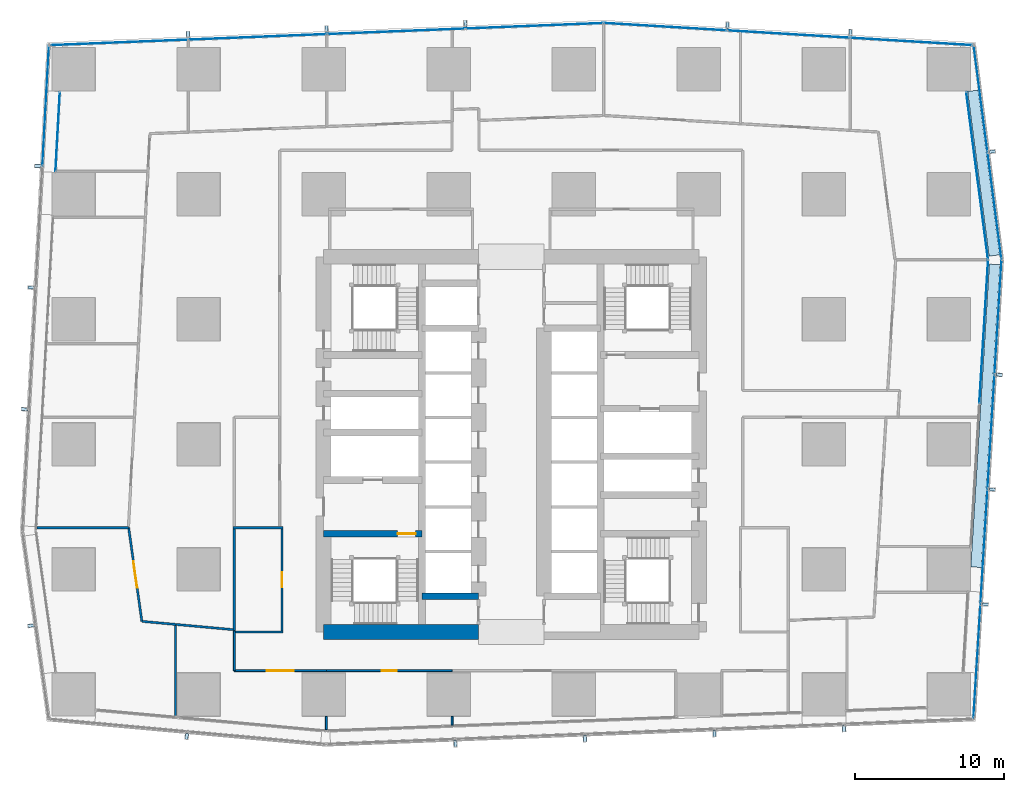
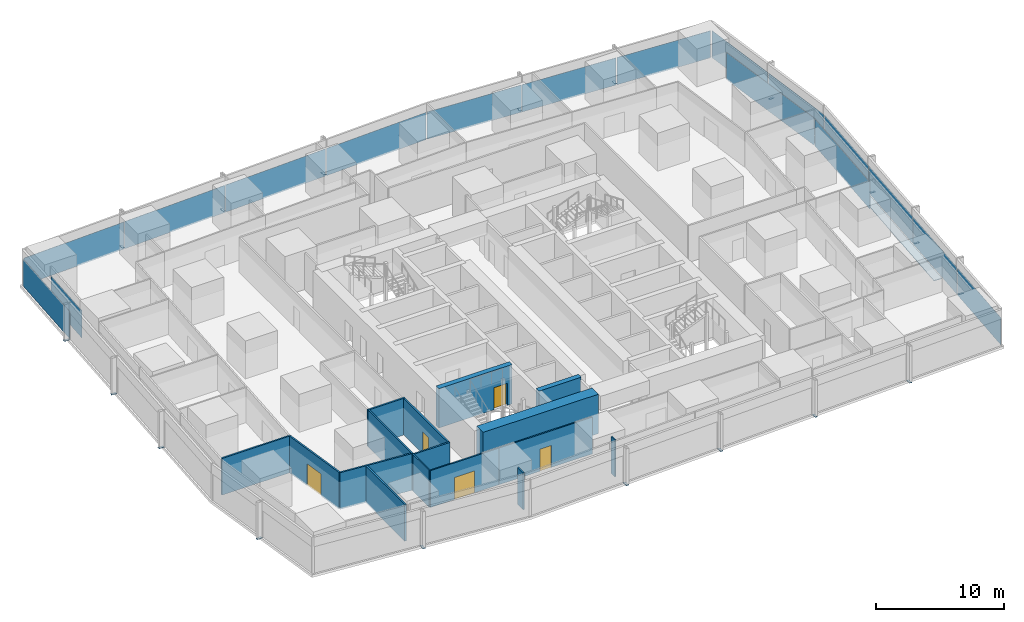
# One storey, part 28 of 40: 37 plates, 17 walls, 5 doors, 5 openings, 8 elements without a shape of their own.
"""IFC4 building model written with IfcOpenShell, lengths in metres."""

from ifc_helpers import new_model, si_unit, direction, frame, frame_2d, origin, origin_2d, place, context, subcontext, project, spatial, rectangle, extrude, material, layer, layer_set, type_object, element, fill, aggregate, save


model = new_model("IFC4")

# Units and contexts
model_context = context("Model", 3, precision=1e-05, world=origin(), true_north=direction((0.0, 1.0)))
body_context = subcontext(model_context, "Body", "Model", "MODEL_VIEW")
ifc_project = project(units=[si_unit("LENGTHUNIT", "METRE"), si_unit("AREAUNIT", "SQUARE_METRE"), si_unit("VOLUMEUNIT", "CUBIC_METRE"), si_unit("PLANEANGLEUNIT", "RADIAN"), si_unit("MASSUNIT", "GRAM", prefix="KILO")], contexts=[model_context])

# Site, building, storey
site_placement = place(None, origin())
site = spatial("IfcSite", under=ifc_project, at=site_placement, CompositionType="ELEMENT")
building_placement = place(site_placement, origin())
building = spatial("IfcBuilding", under=site, at=building_placement, Name="Rekha Terrace Tower", CompositionType="ELEMENT")
storey_placement = place(building_placement, frame((0.0, 0.0, 95.300048828125)))
storey = spatial("IfcBuildingStorey", under=building, at=storey_placement, Name="L23", CompositionType="ELEMENT", Elevation=95.300048828125)

# Plates
ifc_material_1 = material(Name="Steel S355 fixing plate bolted to the slab", Category="steel")
ifc_layer_1 = layer(ifc_material_1, 0.02001953125)
ifc_layer_set_1 = layer_set([ifc_layer_1], Name="Steel S355 fixing plate bolted to the slab")
plate_type_1 = type_object("IfcPlateType", Name="BL2 blade bracket plate 200 x 20", PredefinedType="USERDEFINED", material=ifc_layer_set_1)
for number, where, z_axis, x_axis, name in (
    (1, (16.00341796875, 13.9853515625, 0.0), (0.0, 0.0, 1.0), (-0.090439644273, -0.995901938317, 0.0), "Blade bracket"),
    (2, (34.04150390625, 13.479248046875, 0.0), (0.0, 0.0, 1.0), (0.038890088543, -0.999243494356, 0.0), "Blade bracket"),
    (3, (42.74658203125, 13.818115234375, 0.0), (0.0, 0.0, 1.0), (0.038890088543, -0.999243494356, 0.0), "Blade bracket"),
    (4, (51.45166015625, 14.156982421875, 0.0), (0.0, 0.0, 1.0), (0.038890088543, -0.999243494356, 0.0), "Blade bracket"),
    (5, (60.156494140625, 14.49560546875, 0.0), (0.0, 0.0, 1.0), (0.038890088543, -0.999243494356, 0.0), "Blade bracket"),
    (6, (69.64111328125, 22.8466796875, 0.0), (0.0, 0.0, 1.0), (0.998127973008, -0.061160031881, 0.0), "Blade bracket"),
    (7, (70.11376953125, 30.558837890625, 0.0), (0.0, 0.0, 1.0), (0.998127973008, -0.061160031881, 0.0), "Blade bracket"),
    (8, (70.586181640625, 38.27099609375, 0.0), (0.0, 0.0, 1.0), (0.998127973008, -0.061160031881, 0.0), "Blade bracket"),
    (9, (70.1162109375, 53.2666015625, 0.0), (0.0, 0.0, 1.0), (0.991629073702, 0.129119247945, 0.0), "Blade bracket"),
    (10, (60.5830078125, 61.26611328125, 0.0), (0.0, 0.0, 1.0), (0.059987582268, 0.998199123409, 0.0), "Blade bracket"),
    (11, (52.3212890625, 61.7626953125, 0.0), (0.0, 0.0, 1.0), (0.059987582268, 0.998199123409, 0.0), "Blade bracket"),
    (12, (34.71142578125, 61.886474609375, 0.0), (0.0, 0.0, 1.0), (-0.040032388711, 0.999198382632, 0.0), "Blade bracket"),
    (13, (25.3994140625, 61.51318359375, 0.0), (0.0, 0.0, 1.0), (-0.040032388711, 0.999198382632, 0.0), "Blade bracket"),
    (14, (16.08740234375, 61.14013671875, 0.0), (0.0, 0.0, 1.0), (-0.040032388711, 0.999198382632, 0.0), "Blade bracket"),
    (15, (5.984619140625, 52.295654296875, 0.0), (0.0, 0.0, 1.0), (-0.998500488747, 0.054742798353, 0.0), "Blade bracket"),
    (16, (5.53662109375, 44.1279296875, 0.0), (0.0, 0.0, 1.0), (-0.998500488747, 0.054742798353, 0.0), "Blade bracket"),
    (17, (5.0888671875, 35.960205078125, 0.0), (0.0, 0.0, 1.0), (-0.998500488747, 0.054742798353, 0.0), "Blade bracket"),
    (18, (5.53369140625, 21.416748046875, 0.0), (0.0, 0.0, 1.0), (-0.990208467003, -0.139596532461, 0.0), "Blade bracket"),
):
    element("IfcPlate", number, at=place(storey_placement, frame(where, z_axis=z_axis, x_axis=x_axis)), inside=storey, type_object=plate_type_1, Name=name, ObjectType="BLADE BRACKET", PredefinedType="USERDEFINED", context=body_context, shape_type="SweptSolid", body=[
        extrude(rectangle(XDim=0.429931640625, YDim=0.199951171875, at=origin_2d()), origin(), (0.0, 0.0, 1.0), 0.02001953125),
    ])

# Curtain wall, plate
ifc_material_2 = material(Name="Aluminium framing", Category="aluminium")
curtain_wall_type_1 = type_object("IfcCurtainWallType", Name="CW1 double skin inner glazing", PredefinedType="USERDEFINED", material=ifc_material_2)
curtain_wall_1_placement = place(storey_placement, origin())
curtain_wall_1 = element("IfcCurtainWall", 19, at=curtain_wall_1_placement, inside=storey, type_object=curtain_wall_type_1, Name="CW1 double skin inner glazing", ObjectType="DOUBLE SKIN INNER GLAZING", PredefinedType="USERDEFINED")
ifc_material_3 = material(Name="Double-glazed low-e unit 32", Category="glass")
ifc_layer_2 = layer(ifc_material_3, 0.031982421875)
ifc_layer_set_2 = layer_set([ifc_layer_2], Name="Double-glazed low-e unit 32")
plate_type_2 = type_object("IfcPlateType", Name="CW1 jumbo vision panel, double-glazed low-e unit 32", PredefinedType="CURTAIN_PANEL", material=ifc_layer_set_2)
plate_1_placement = place(storey_placement, frame((69.541015625, 41.162353515625, 0.0), z_axis=(0.0, 0.0, 1.0), x_axis=(0.061159803113, 0.998127987025, 0.0)))
plate_1 = element("IfcPlate", 20, at=plate_1_placement, type_object=plate_type_2, Name="CW1 panel 2.1", PredefinedType="CURTAIN_PANEL", context=body_context, shape_type="SweptSolid", body=[
    extrude(rectangle(XDim=9.636474609375, YDim=0.031982421875, at=origin_2d()), origin(), (0.0, 0.0, 1.0), 2.60009765625),
])
aggregate(curtain_wall_1, [plate_1])

curtain_wall_2_placement = place(storey_placement, origin())
curtain_wall_2 = element("IfcCurtainWall", 21, at=curtain_wall_2_placement, inside=storey, type_object=curtain_wall_type_1, Name="CW1 double skin inner glazing", ObjectType="DOUBLE SKIN INNER GLAZING", PredefinedType="USERDEFINED")
plate_2_placement = place(storey_placement, frame((69.09716796875, 51.644775390625, 0.0), z_axis=(0.0, 0.0, 1.0), x_axis=(-0.129118383658, 0.991629186239, 0.0)))
plate_2 = element("IfcPlate", 22, at=plate_2_placement, type_object=plate_type_2, Name="CW1 panel 1.1", PredefinedType="CURTAIN_PANEL", context=body_context, shape_type="SweptSolid", body=[
    extrude(rectangle(XDim=11.31201171875, YDim=0.031982421875, at=origin_2d()), origin(), (0.0, 0.0, 1.0), 2.60009765625),
])
aggregate(curtain_wall_2, [plate_2])

curtain_wall_3_placement = place(storey_placement, origin())
curtain_wall_3 = element("IfcCurtainWall", 23, at=curtain_wall_3_placement, inside=storey, type_object=curtain_wall_type_1, Name="CW1 double skin inner glazing", ObjectType="DOUBLE SKIN INNER GLAZING", PredefinedType="USERDEFINED")
plate_3_placement = place(storey_placement, frame((7.332763671875, 54.60009765625, 0.0), z_axis=(0.0, 0.0, 1.0), x_axis=(-0.054742352742, -0.998500513178, 0.0)))
plate_3 = element("IfcPlate", 24, at=plate_3_placement, type_object=plate_type_2, Name="CW1 panel 1.1", PredefinedType="CURTAIN_PANEL", context=body_context, shape_type="SweptSolid", body=[
    extrude(rectangle(XDim=5.327880859375, YDim=0.031982421875, at=origin_2d()), origin(), (0.0, 0.0, 1.0), 2.60009765625),
])
aggregate(curtain_wall_3, [plate_3])

# Curtain wall, plates
curtain_wall_type_2 = type_object("IfcCurtainWallType", Name="CW2 double skin outer glazing", PredefinedType="USERDEFINED", material=ifc_material_2)
curtain_wall_4_placement = place(storey_placement, origin())
curtain_wall_4 = element("IfcCurtainWall", 25, at=curtain_wall_4_placement, inside=storey, type_object=curtain_wall_type_2, Name="CW2 double skin outer glazing", ObjectType="DOUBLE SKIN OUTER GLAZING", PredefinedType="USERDEFINED")
ifc_material_4 = material(Name="Toughened single glazing 12", Category="glass")
ifc_layer_3 = layer(ifc_material_4, 0.011962890625)
ifc_layer_set_3 = layer_set([ifc_layer_3], Name="Toughened single glazing 12")
plate_type_3 = type_object("IfcPlateType", Name="CW2 jumbo vision panel, toughened single glazing 12", PredefinedType="CURTAIN_PANEL", material=ifc_layer_set_3)
plate_4_placement = place(storey_placement, frame((69.086669921875, 19.0302734375, 0.0), z_axis=(0.0, 0.0, 1.0), x_axis=(0.061159803131, 0.998127987024, 0.0)))
plate_4 = element("IfcPlate", 26, at=plate_4_placement, type_object=plate_type_3, Name="CW2 panel 1.1", PredefinedType="CURTAIN_PANEL", context=body_context, shape_type="SweptSolid", body=[
    extrude(rectangle(XDim=7.6064453125, YDim=0.011962890625, at=origin_2d()), origin(), (0.0, 0.0, 1.0), 2.60009765625),
])
plate_5_placement = place(storey_placement, frame((69.557861328125, 26.722412109375, 0.0), z_axis=(0.0, 0.0, 1.0), x_axis=(0.061159803131, 0.998127987024, 0.0)))
plate_5 = element("IfcPlate", 27, at=plate_5_placement, type_object=plate_type_3, Name="CW2 panel 2.1", PredefinedType="CURTAIN_PANEL", context=body_context, shape_type="SweptSolid", body=[
    extrude(rectangle(XDim=7.646484375, YDim=0.011962890625, at=origin_2d()), origin(), (0.0, 0.0, 1.0), 2.60009765625),
])
plate_6_placement = place(storey_placement, frame((70.030517578125, 34.434326171875, 0.0), z_axis=(0.0, 0.0, 1.0), x_axis=(0.061159803131, 0.998127987024, 0.0)))
plate_6 = element("IfcPlate", 28, at=plate_6_placement, type_object=plate_type_3, Name="CW2 panel 3.1", PredefinedType="CURTAIN_PANEL", context=body_context, shape_type="SweptSolid", body=[
    extrude(rectangle(XDim=7.646484375, YDim=0.011962890625, at=origin_2d()), origin(), (0.0, 0.0, 1.0), 2.60009765625),
])
plate_7_placement = place(storey_placement, frame((70.50439453125, 42.16650390625, 0.0), z_axis=(0.0, 0.0, 1.0), x_axis=(0.061159803131, 0.998127987024, 0.0)))
plate_7 = element("IfcPlate", 29, at=plate_7_placement, type_object=plate_type_3, Name="CW2 panel 4.1", PredefinedType="CURTAIN_PANEL", context=body_context, shape_type="SweptSolid", body=[
    extrude(rectangle(XDim=7.6865234375, YDim=0.011962890625, at=origin_2d()), origin(), (0.0, 0.0, 1.0), 2.60009765625),
])
aggregate(curtain_wall_4, [plate_4, plate_5, plate_6, plate_7])

curtain_wall_5_placement = place(storey_placement, origin())
curtain_wall_5 = element("IfcCurtainWall", 30, at=curtain_wall_5_placement, inside=storey, type_object=curtain_wall_type_2, Name="CW2 double skin outer glazing", ObjectType="DOUBLE SKIN OUTER GLAZING", PredefinedType="USERDEFINED")
plate_8_placement = place(storey_placement, frame((70.2666015625, 49.6337890625, 0.0), z_axis=(0.0, 0.0, 1.0), x_axis=(-0.129118383623, 0.991629186244, 0.0)))
plate_8 = element("IfcPlate", 31, at=plate_8_placement, type_object=plate_type_3, Name="CW2 panel 1.1", PredefinedType="CURTAIN_PANEL", context=body_context, shape_type="SweptSolid", body=[
    extrude(rectangle(XDim=7.163818359375, YDim=0.011962890625, at=origin_2d()), origin(), (0.0, 0.0, 1.0), 2.60009765625),
])
plate_9_placement = place(storey_placement, frame((69.331298828125, 56.81689453125, 0.0), z_axis=(0.0, 0.0, 1.0), x_axis=(-0.129118383623, 0.991629186244, 0.0)))
plate_9 = element("IfcPlate", 32, at=plate_9_placement, type_object=plate_type_3, Name="CW2 panel 2.1", PredefinedType="CURTAIN_PANEL", context=body_context, shape_type="SweptSolid", body=[
    extrude(rectangle(XDim=7.163818359375, YDim=0.011962890625, at=origin_2d()), origin(), (0.0, 0.0, 1.0), 2.60009765625),
])
aggregate(curtain_wall_5, [plate_8, plate_9])

# Curtain wall, plate
curtain_wall_6_placement = place(storey_placement, origin())
curtain_wall_6 = element("IfcCurtainWall", 33, at=curtain_wall_6_placement, inside=storey, type_object=curtain_wall_type_2, Name="CW2 double skin outer glazing", ObjectType="DOUBLE SKIN OUTER GLAZING", PredefinedType="USERDEFINED")
plate_10_placement = place(storey_placement, frame((6.52685546875, 56.342041015625, 0.0), z_axis=(0.0, 0.0, 1.0), x_axis=(-0.054742352707, -0.99850051318, 0.0)))
plate_10 = element("IfcPlate", 34, at=plate_10_placement, type_object=plate_type_3, Name="CW2 panel 1.1", PredefinedType="CURTAIN_PANEL", context=body_context, shape_type="SweptSolid", body=[
    extrude(rectangle(XDim=8.06005859375, YDim=0.011962890625, at=origin_2d()), origin(), (0.0, 0.0, 1.0), 2.60009765625),
])
aggregate(curtain_wall_6, [plate_10])

# Curtain wall, plates
curtain_wall_type_3 = type_object("IfcCurtainWallType", Name="CW3 north unitised glazing", PredefinedType="USERDEFINED", material=ifc_material_2)
curtain_wall_7_placement = place(storey_placement, origin())
curtain_wall_7 = element("IfcCurtainWall", 35, at=curtain_wall_7_placement, inside=storey, type_object=curtain_wall_type_3, Name="CW3 unitised curtain wall", ObjectType="UNITISED CURTAIN WALL", PredefinedType="USERDEFINED")
ifc_material_5 = material(Name="Double-glazed unit 28", Category="glass")
ifc_layer_4 = layer(ifc_material_5, 0.028076171875)
ifc_layer_set_4 = layer_set([ifc_layer_4], Name="Double-glazed unit 28")
plate_type_4 = type_object("IfcPlateType", Name="CW3 jumbo vision panel, double-glazed unit 28", PredefinedType="CURTAIN_PANEL", material=ifc_layer_set_4)
plate_11_placement = place(storey_placement, frame((64.6748046875, 60.65966796875, 0.0), z_axis=(0.0, 0.0, 1.0), x_axis=(-0.998199102701, 0.059987926837, 0.0)))
plate_11 = element("IfcPlate", 36, at=plate_11_placement, type_object=plate_type_4, Name="CW3 panel 1.1", PredefinedType="CURTAIN_PANEL", context=body_context, shape_type="SweptSolid", body=[
    extrude(rectangle(XDim=8.171630859375, YDim=0.028076171875, at=origin_2d()), origin(), (0.0, 0.0, 1.0), 2.60009765625),
])
plate_12_placement = place(storey_placement, frame((56.430419921875, 61.155029296875, 0.0), z_axis=(0.0, 0.0, 1.0), x_axis=(-0.998199102701, 0.059987926837, 0.0)))
plate_12 = element("IfcPlate", 37, at=plate_12_placement, type_object=plate_type_4, Name="CW3 panel 2.1", PredefinedType="CURTAIN_PANEL", context=body_context, shape_type="SweptSolid", body=[
    extrude(rectangle(XDim=8.20654296875, YDim=0.028076171875, at=origin_2d()), origin(), (0.0, 0.0, 1.0), 2.60009765625),
])
plate_13_placement = place(storey_placement, frame((48.1513671875, 61.652587890625, 0.0), z_axis=(0.0, 0.0, 1.0), x_axis=(-0.998199102701, 0.059987926837, 0.0)))
plate_13 = element("IfcPlate", 38, at=plate_13_placement, type_object=plate_type_4, Name="CW3 panel 3.1", PredefinedType="CURTAIN_PANEL", context=body_context, shape_type="SweptSolid", body=[
    extrude(rectangle(XDim=8.24169921875, YDim=0.028076171875, at=origin_2d()), origin(), (0.0, 0.0, 1.0), 2.60009765625),
])
aggregate(curtain_wall_7, [plate_11, plate_12, plate_13])

curtain_wall_8_placement = place(storey_placement, origin())
curtain_wall_8 = element("IfcCurtainWall", 39, at=curtain_wall_8_placement, inside=storey, type_object=curtain_wall_type_3, Name="CW3 unitised curtain wall", ObjectType="UNITISED CURTAIN WALL", PredefinedType="USERDEFINED")
plate_14_placement = place(storey_placement, frame((39.364501953125, 61.71240234375, 0.0), z_axis=(0.0, 0.0, 1.0), x_axis=(-0.999198398721, -0.040031987119, 0.0)))
plate_14 = element("IfcPlate", 40, at=plate_14_placement, type_object=plate_type_4, Name="CW3 panel 1.1", PredefinedType="CURTAIN_PANEL", context=body_context, shape_type="SweptSolid", body=[
    extrude(rectangle(XDim=9.214599609375, YDim=0.028076171875, at=origin_2d()), origin(), (0.0, 0.0, 1.0), 2.60009765625),
])
plate_15_placement = place(storey_placement, frame((30.06982421875, 61.340087890625, 0.0), z_axis=(0.0, 0.0, 1.0), x_axis=(-0.999198398721, -0.040031987119, 0.0)))
plate_15 = element("IfcPlate", 41, at=plate_15_placement, type_object=plate_type_4, Name="CW3 panel 2.1", PredefinedType="CURTAIN_PANEL", context=body_context, shape_type="SweptSolid", body=[
    extrude(rectangle(XDim=9.24951171875, YDim=0.028076171875, at=origin_2d()), origin(), (0.0, 0.0, 1.0), 2.60009765625),
])
plate_16_placement = place(storey_placement, frame((20.7578125, 60.967041015625, 0.0), z_axis=(0.0, 0.0, 1.0), x_axis=(-0.999198398721, -0.040031987119, 0.0)))
plate_16 = element("IfcPlate", 42, at=plate_16_placement, type_object=plate_type_4, Name="CW3 panel 3.1", PredefinedType="CURTAIN_PANEL", context=body_context, shape_type="SweptSolid", body=[
    extrude(rectangle(XDim=9.24951171875, YDim=0.028076171875, at=origin_2d()), origin(), (0.0, 0.0, 1.0), 2.60009765625),
])
plate_17_placement = place(storey_placement, frame((11.46337890625, 60.5947265625, 0.0), z_axis=(0.0, 0.0, 1.0), x_axis=(-0.999198398721, -0.040031987119, 0.0)))
plate_17 = element("IfcPlate", 43, at=plate_17_placement, type_object=plate_type_4, Name="CW3 panel 4.1", PredefinedType="CURTAIN_PANEL", context=body_context, shape_type="SweptSolid", body=[
    extrude(rectangle(XDim=9.214599609375, YDim=0.028076171875, at=origin_2d()), origin(), (0.0, 0.0, 1.0), 2.60009765625),
])
aggregate(curtain_wall_8, [plate_14, plate_15, plate_16, plate_17])

# Plates
ifc_material_6 = material(Name="Galvanised steel open grating", Category="steel")
ifc_layer_5 = layer(ifc_material_6, 0.050048828125)
ifc_layer_set_5 = layer_set([ifc_layer_5], Name="Galvanised steel open grating")
plate_type_5 = type_object("IfcPlateType", Name="GT1 cavity walkway grating 50", PredefinedType="USERDEFINED", material=ifc_layer_set_5)
plate_18_placement = place(storey_placement, frame((69.646240234375, 35.5185546875, 0.0), z_axis=(0.0, 0.0, 1.0), x_axis=(0.061159803131, 0.998127987024, 0.0)))
element("IfcPlate", 44, at=plate_18_placement, inside=storey, type_object=plate_type_5, Name="Cavity walkway grating", ObjectType="CAVITY WALKWAY GRATING", PredefinedType="USERDEFINED", context=body_context, shape_type="SweptSolid", body=[
    extrude(rectangle(XDim=20.376220703125, YDim=0.705078125, at=origin_2d()), origin(), (0.0, 0.0, 1.0), 0.050048828125),
])
plate_19_placement = place(storey_placement, frame((69.5283203125, 51.8173828125, 0.0), z_axis=(0.0, 0.0, 1.0), x_axis=(-0.129118383623, 0.991629186244, 0.0)))
element("IfcPlate", 45, at=plate_19_placement, inside=storey, type_object=plate_type_5, Name="Cavity walkway grating", ObjectType="CAVITY WALKWAY GRATING", PredefinedType="USERDEFINED", context=body_context, shape_type="SweptSolid", body=[
    extrude(rectangle(XDim=11.1591796875, YDim=0.705078125, at=origin_2d()), origin(), (0.0, 0.0, 1.0), 0.050048828125),
])

# Wall
ifc_material_7 = material(Name="Concrete M70", Category="concrete")
ifc_layer_6 = layer(ifc_material_7, 0.449951171875)
ifc_layer_set_6 = layer_set([ifc_layer_6], Name="Concrete M70")
wall_type_1 = type_object("IfcWallType", Name="CI2 450 core internal shear wall", PredefinedType="SHEAR", material=ifc_layer_set_6)
wall_1_placement = place(storey_placement, frame((31.800048828125, 23.39990234375, 0.0), z_axis=(0.0, 0.0, 1.0), x_axis=(1.0, 0.0, 0.0)))
element("IfcWall", 46, at=wall_1_placement, inside=storey, type_object=wall_type_1, Name="Core wall Y234W L23", PredefinedType="SHEAR", context=body_context, shape_type="SweptSolid", body=[
    extrude(rectangle(XDim=3.800048828125, YDim=0.449951171875, at=frame_2d((1.89990234375, 0.0))), origin(), (0.0, 0.0, 1.0), 3.75),
])

# Wall, opening, door
wall_2_placement = place(storey_placement, frame((25.199951171875, 27.60009765625, 0.0), z_axis=(0.0, 0.0, 1.0), x_axis=(1.0, 0.0, 0.0)))
wall_2 = element("IfcWall", 47, at=wall_2_placement, inside=storey, type_object=wall_type_1, Name="Core wall Y276W L23", PredefinedType="SHEAR", context=body_context, shape_type="SweptSolid", body=[
    extrude(rectangle(XDim=6.60009765625, YDim=0.449951171875, at=frame_2d((3.300048828125, 0.0))), origin(), (0.0, 0.0, 1.0), 3.75),
])
opening_1_placement = place(wall_2_placement, frame((4.97509765625, 0.0, 0.0)))
opening_1 = element("IfcOpeningElement", 48, at=opening_1_placement, cuts=wall_2, Name="Opening D1", PredefinedType="OPENING", context=body_context, shape_type="SweptSolid", body=[
    extrude(rectangle(XDim=1.199951171875, YDim=2.10009765625, at=frame_2d((0.60009765625, 1.050048828125))), frame((0.0, 0.23486328125, 0.0), z_axis=(0.0, -1.0, 0.0), x_axis=(1.0, 0.0, 0.0)), (0.0, 0.0, 1.0), 0.469970703125),
])
ifc_material_8 = material(Name="Steel fire door", Category="steel")
door_type_1 = type_object("IfcDoorType", Name="D1 1200x2100 stair fire door", OperationType="SINGLE_SWING_RIGHT", PredefinedType="DOOR", material=ifc_material_8)
door_1_placement = place(opening_1_placement, origin())
door_1 = element("IfcDoor", 49, at=door_1_placement, inside=storey, type_object=door_type_1, Name="Stair ST1 door L23", OperationType="SINGLE_SWING_RIGHT", OverallHeight=2.10009765625, OverallWidth=1.199951171875, PredefinedType="DOOR", context=body_context, shape_type="SweptSolid", body=[
    extrude(rectangle(XDim=1.199951171875, YDim=2.10009765625, at=frame_2d((0.60009765625, 1.050048828125))), frame((0.0, 0.02490234375, 0.0), z_axis=(0.0, -1.0, 0.0), x_axis=(1.0, 0.0, 0.0)), (0.0, 0.0, 1.0), 0.050048828125),
])
fill(opening_1, door_1)

# Walls
ifc_layer_7 = layer(ifc_material_7, 1.0)
ifc_layer_set_7 = layer_set([ifc_layer_7], Name="Concrete M70")
wall_type_2 = type_object("IfcWallType", Name="SW2 1000 core outer shear wall", PredefinedType="SHEAR", material=ifc_layer_set_7)
wall_3_placement = place(storey_placement, frame((25.199951171875, 21.0, 0.0), z_axis=(0.0, 0.0, 1.0), x_axis=(1.0, 0.0, 0.0)))
element("IfcWall", 50, at=wall_3_placement, inside=storey, type_object=wall_type_2, Name="Core wall S1 L23", PredefinedType="SHEAR", context=body_context, shape_type="SweptSolid", body=[
    extrude(rectangle(XDim=10.400146484375, YDim=1.0, at=frame_2d((5.2001953125, 0.0))), origin(), (0.0, 0.0, 1.0), 3.75),
])
ifc_material_9 = material(Name="Concrete block masonry, 1 hour", Category="masonry")
ifc_layer_8 = layer(ifc_material_9, 0.14990234375)
ifc_layer_set_8 = layer_set([ifc_layer_8], Name="Concrete block masonry, 1 hour")
wall_type_3 = type_object("IfcWallType", Name="WP2 150 tenancy partition", PredefinedType="PARTITIONING", material=ifc_layer_set_8)
for number, where, z_axis, x_axis, name in (
    (51, (19.125, 21.0, 0.0), (0.0, 0.0, 1.0), (1.0, 0.0, 0.0), "Men's WC wall L23"),
    (52, (19.125, 28.0, 0.0), (0.0, 0.0, 1.0), (1.0, 0.0, 0.0), "Men's WC wall L23"),
):
    element("IfcWall", number, at=place(storey_placement, frame(where, z_axis=z_axis, x_axis=x_axis)), inside=storey, type_object=wall_type_3, Name=name, PredefinedType="PARTITIONING", context=body_context, shape_type="SweptSolid", body=[
        extrude(rectangle(XDim=3.35009765625, YDim=0.14990234375, at=frame_2d((1.675048828125, 0.0))), origin(), (0.0, 0.0, 1.0), 3.5),
    ])
wall_4_placement = place(storey_placement, frame((19.199951171875, 21.074951171875, 0.0), z_axis=(0.0, 0.0, 1.0), x_axis=(0.0, 1.0, 0.0)))
element("IfcWall", 53, at=wall_4_placement, inside=storey, type_object=wall_type_3, Name="Men's WC wall L23", PredefinedType="PARTITIONING", context=body_context, shape_type="SweptSolid", body=[
    extrude(rectangle(XDim=6.85009765625, YDim=0.14990234375, at=frame_2d((3.425048828125, 0.0))), origin(), (0.0, 0.0, 1.0), 3.5),
])

# Wall, opening, door
wall_5_placement = place(storey_placement, frame((22.39990234375, 21.074951171875, 0.0), z_axis=(0.0, 0.0, 1.0), x_axis=(0.0, 1.0, 0.0)))
wall_5 = element("IfcWall", 54, at=wall_5_placement, inside=storey, type_object=wall_type_3, Name="Men's WC wall L23", PredefinedType="PARTITIONING", context=body_context, shape_type="SweptSolid", body=[
    extrude(rectangle(XDim=6.85009765625, YDim=0.14990234375, at=frame_2d((3.425048828125, 0.0))), origin(), (0.0, 0.0, 1.0), 3.5),
])
opening_2_placement = place(wall_5_placement, frame((2.925048828125, 0.0, 0.0)))
opening_2 = element("IfcOpeningElement", 55, at=opening_2_placement, cuts=wall_5, Name="Opening D3", PredefinedType="OPENING", context=body_context, shape_type="SweptSolid", body=[
    extrude(rectangle(XDim=1.0, YDim=2.10009765625, at=frame_2d((0.5, 1.050048828125))), frame((0.0, 0.0849609375, 0.0), z_axis=(0.0, -1.0, 0.0), x_axis=(1.0, 0.0, 0.0)), (0.0, 0.0, 1.0), 0.169921875),
])
ifc_material_10 = material(Name="Laminated timber fire door", Category="wood")
door_type_2 = type_object("IfcDoorType", Name="D3 1000x2100 WC door", OperationType="SINGLE_SWING_LEFT", PredefinedType="DOOR", material=ifc_material_10)
door_2_placement = place(opening_2_placement, origin())
door_2 = element("IfcDoor", 56, at=door_2_placement, inside=storey, type_object=door_type_2, Name="Door men's wc L23", OperationType="SINGLE_SWING_LEFT", OverallHeight=2.10009765625, OverallWidth=1.0, PredefinedType="DOOR", context=body_context, shape_type="SweptSolid", body=[
    extrude(rectangle(XDim=1.0, YDim=2.10009765625, at=frame_2d((0.5, 1.050048828125))), frame((0.0, 0.02490234375, 0.0), z_axis=(0.0, -1.0, 0.0), x_axis=(1.0, 0.0, 0.0)), (0.0, 0.0, 1.0), 0.050048828125),
])
fill(opening_2, door_2)

# Walls
wall_6_placement = place(storey_placement, frame((19.125, 21.153076171875, 0.0), z_axis=(0.0, 0.0, 1.0), x_axis=(-0.99591033818, 0.090347099052, 0.0)))
element("IfcWall", 57, at=wall_6_placement, inside=storey, type_object=wall_type_3, Name="Partition L23-O1b", PredefinedType="PARTITIONING", context=body_context, shape_type="SweptSolid", body=[
    extrude(rectangle(XDim=3.850830078125, YDim=0.14990234375, at=frame_2d((1.92529296875, 0.0))), origin(), (0.0, 0.0, 1.0), 3.5),
])
wall_7_placement = place(storey_placement, frame((15.2451171875, 21.429931640625, 0.0), z_axis=(0.0, 0.0, 1.0), x_axis=(0.0, -1.0, 0.0)))
element("IfcWall", 58, at=wall_7_placement, inside=storey, type_object=wall_type_3, Name="Partition L23-O1b", PredefinedType="PARTITIONING", context=body_context, shape_type="SweptSolid", body=[
    extrude(rectangle(XDim=6.06982421875, YDim=0.14990234375, at=frame_2d((3.034912109375, 0.0))), origin(), (0.0, 0.0, 1.0), 3.5),
])
wall_8_placement = place(storey_placement, frame((15.2900390625, 21.5009765625, 0.0), z_axis=(0.0, 0.0, 1.0), x_axis=(-0.995911351873, 0.090335924256, 0.0)))
element("IfcWall", 59, at=wall_8_placement, inside=storey, type_object=wall_type_3, Name="Partition L23-O1b", PredefinedType="PARTITIONING", context=body_context, shape_type="SweptSolid", body=[
    extrude(rectangle(XDim=2.3134765625, YDim=0.14990234375, at=frame_2d((1.15673828125, 0.0))), origin(), (0.0, 0.0, 1.0), 3.5),
])

# Wall, opening, door
wall_9_placement = place(storey_placement, frame((12.986083984375, 21.7099609375, 0.0), z_axis=(0.0, 0.0, 1.0), x_axis=(-0.139650607895, 0.99020084211, 0.0)))
wall_9 = element("IfcWall", 60, at=wall_9_placement, inside=storey, type_object=wall_type_3, Name="Partition L23-O1b", PredefinedType="PARTITIONING", context=body_context, shape_type="SweptSolid", body=[
    extrude(rectangle(XDim=6.351318359375, YDim=0.14990234375, at=frame_2d((3.17578125, 0.0))), origin(), (0.0, 0.0, 1.0), 3.5),
])
opening_3_placement = place(wall_9_placement, frame((2.27587890625, 0.0, 0.0)))
opening_3 = element("IfcOpeningElement", 61, at=opening_3_placement, cuts=wall_9, Name="Opening D8", PredefinedType="OPENING", context=body_context, shape_type="SweptSolid", body=[
    extrude(rectangle(XDim=1.800048828125, YDim=2.10009765625, at=frame_2d((0.89990234375, 1.050048828125))), frame((0.0, 0.0849609375, 0.0), z_axis=(0.0, -1.0, 0.0), x_axis=(1.0, 0.0, 0.0)), (0.0, 0.0, 1.0), 0.169921875),
])
ifc_material_11 = material(Name="Timber fire door", Category="wood")
door_type_3 = type_object("IfcDoorType", Name="D8 1800x2100 double leaf door", OperationType="DOUBLE_DOOR_SINGLE_SWING", PredefinedType="DOOR", material=ifc_material_11)
door_3_placement = place(opening_3_placement, origin())
door_3 = element("IfcDoor", 62, at=door_3_placement, inside=storey, type_object=door_type_3, Name="Door breakout lounge L23", OperationType="DOUBLE_DOOR_SINGLE_SWING", OverallHeight=2.10009765625, OverallWidth=1.800048828125, PredefinedType="DOOR", context=body_context, shape_type="SweptSolid", body=[
    extrude(rectangle(XDim=1.800048828125, YDim=2.10009765625, at=frame_2d((0.89990234375, 1.050048828125))), frame((0.0, 0.02490234375, 0.0), z_axis=(0.0, -1.0, 0.0), x_axis=(1.0, 0.0, 0.0)), (0.0, 0.0, 1.0), 0.050048828125),
])
fill(opening_3, door_3)

# Walls
wall_10_placement = place(storey_placement, frame((12.09912109375, 27.9990234375, 0.0), z_axis=(0.0, 0.0, 1.0), x_axis=(-1.0, 0.0, 0.0)))
element("IfcWall", 63, at=wall_10_placement, inside=storey, type_object=wall_type_3, Name="Partition L23-O1b", PredefinedType="PARTITIONING", context=body_context, shape_type="SweptSolid", body=[
    extrude(rectangle(XDim=6.14501953125, YDim=0.14990234375, at=frame_2d((3.072509765625, 0.0))), origin(), (0.0, 0.0, 1.0), 3.5),
])
ifc_material_12 = material(Name="Two layers of fire-rated gypsum board each side on steel studs, acoustic quilt, 1 hour", Category="steel")
ifc_layer_9 = layer(ifc_material_12, 0.125)
ifc_layer_set_9 = layer_set([ifc_layer_9], Name="Two layers of fire-rated gypsum board each side on steel studs, acoustic quilt, 1 hour")
wall_type_4 = type_object("IfcWallType", Name="WP3 125 office partition", PredefinedType="PARTITIONING", material=ifc_layer_set_9)
wall_11_placement = place(storey_placement, frame((19.199951171875, 21.073974609375, 0.0), z_axis=(0.0, 0.0, 1.0), x_axis=(0.0, -1.0, 0.0)))
element("IfcWall", 64, at=wall_11_placement, inside=storey, type_object=wall_type_4, Name="Partition L23-20", PredefinedType="PARTITIONING", context=body_context, shape_type="SweptSolid", body=[
    extrude(rectangle(XDim=2.674072265625, YDim=0.125, at=frame_2d((1.3369140625, 0.0))), origin(), (0.0, 0.0, 1.0), 3.5),
])

# Wall, opening, door
wall_12_placement = place(storey_placement, frame((19.199951171875, 18.39990234375, 0.0), z_axis=(0.0, 0.0, 1.0), x_axis=(1.0, 0.0, 0.0)))
wall_12 = element("IfcWall", 65, at=wall_12_placement, inside=storey, type_object=wall_type_4, Name="Partition L23-20", PredefinedType="PARTITIONING", context=body_context, shape_type="SweptSolid", body=[
    extrude(rectangle(XDim=6.178955078125, YDim=0.125, at=frame_2d((3.08935546875, 0.0))), origin(), (0.0, 0.0, 1.0), 3.5),
])
opening_4_placement = place(wall_12_placement, frame((2.18994140625, 0.0, 0.0)))
opening_4 = element("IfcOpeningElement", 66, at=opening_4_placement, cuts=wall_12, Name="Opening D8", PredefinedType="OPENING", context=body_context, shape_type="SweptSolid", body=[
    extrude(rectangle(XDim=1.800048828125, YDim=2.10009765625, at=frame_2d((0.89990234375, 1.050048828125))), frame((0.0, 0.072509765625, 0.0), z_axis=(0.0, -1.0, 0.0), x_axis=(1.0, 0.0, 0.0)), (0.0, 0.0, 1.0), 0.14501953125),
])
door_4_placement = place(opening_4_placement, origin())
door_4 = element("IfcDoor", 67, at=door_4_placement, inside=storey, type_object=door_type_3, Name="Door storage room L23", OperationType="DOUBLE_DOOR_SINGLE_SWING", OverallHeight=2.10009765625, OverallWidth=1.800048828125, PredefinedType="DOOR", context=body_context, shape_type="SweptSolid", body=[
    extrude(rectangle(XDim=1.800048828125, YDim=2.10009765625, at=frame_2d((0.89990234375, 1.050048828125))), frame((0.0, 0.02490234375, 0.0), z_axis=(0.0, -1.0, 0.0), x_axis=(1.0, 0.0, 0.0)), (0.0, 0.0, 1.0), 0.050048828125),
])
fill(opening_4, door_4)

# Wall
wall_13_placement = place(storey_placement, frame((25.37890625, 15.330078125, 0.0), z_axis=(0.0, 0.0, 1.0), x_axis=(0.0, -1.0, 0.0)))
element("IfcWall", 68, at=wall_13_placement, inside=storey, type_object=wall_type_4, Name="Partition L23-20", PredefinedType="PARTITIONING", context=body_context, shape_type="SweptSolid", body=[
    extrude(rectangle(XDim=0.886962890625, YDim=0.125, at=frame_2d((0.443359375, 0.0))), origin(), (0.0, 0.0, 1.0), 3.5),
])

# Wall, opening, door
wall_14_placement = place(storey_placement, frame((25.3798828125, 18.39990234375, 0.0), z_axis=(0.0, 0.0, 1.0), x_axis=(1.0, 0.0, 0.0)))
wall_14 = element("IfcWall", 69, at=wall_14_placement, inside=storey, type_object=wall_type_4, Name="Partition L23-21", PredefinedType="PARTITIONING", context=body_context, shape_type="SweptSolid", body=[
    extrude(rectangle(XDim=8.445068359375, YDim=0.125, at=frame_2d((4.22265625, 0.0))), origin(), (0.0, 0.0, 1.0), 3.5),
])
opening_5_placement = place(wall_14_placement, frame((3.722900390625, 0.0, 0.0)))
opening_5 = element("IfcOpeningElement", 70, at=opening_5_placement, cuts=wall_14, Name="Opening D9", PredefinedType="OPENING", context=body_context, shape_type="SweptSolid", body=[
    extrude(rectangle(XDim=1.0, YDim=2.10009765625, at=frame_2d((0.5, 1.050048828125))), frame((0.0, 0.072509765625, 0.0), z_axis=(0.0, -1.0, 0.0), x_axis=(1.0, 0.0, 0.0)), (0.0, 0.0, 1.0), 0.14501953125),
])
door_type_4 = type_object("IfcDoorType", Name="D9 1000x2100 office door", OperationType="SINGLE_SWING_LEFT", PredefinedType="DOOR", material=ifc_material_11)
door_5_placement = place(opening_5_placement, origin())
door_5 = element("IfcDoor", 71, at=door_5_placement, inside=storey, type_object=door_type_4, Name="Door training and meeting room L23", OperationType="SINGLE_SWING_LEFT", OverallHeight=2.10009765625, OverallWidth=1.0, PredefinedType="DOOR", context=body_context, shape_type="SweptSolid", body=[
    extrude(rectangle(XDim=1.0, YDim=2.10009765625, at=frame_2d((0.5, 1.050048828125))), frame((0.0, 0.02490234375, 0.0), z_axis=(0.0, -1.0, 0.0), x_axis=(1.0, 0.0, 0.0)), (0.0, 0.0, 1.0), 0.050048828125),
])
fill(opening_5, door_5)

# Wall
wall_15_placement = place(storey_placement, frame((33.824951171875, 15.330078125, 0.0), z_axis=(0.0, 0.0, 1.0), x_axis=(0.0, -1.0, 0.0)))
element("IfcWall", 72, at=wall_15_placement, inside=storey, type_object=wall_type_4, Name="Partition L23-21", PredefinedType="PARTITIONING", context=body_context, shape_type="SweptSolid", body=[
    extrude(rectangle(XDim=0.588134765625, YDim=0.125, at=frame_2d((0.2939453125, 0.0))), origin(), (0.0, 0.0, 1.0), 3.5),
])

save(model, "model.ifc")
